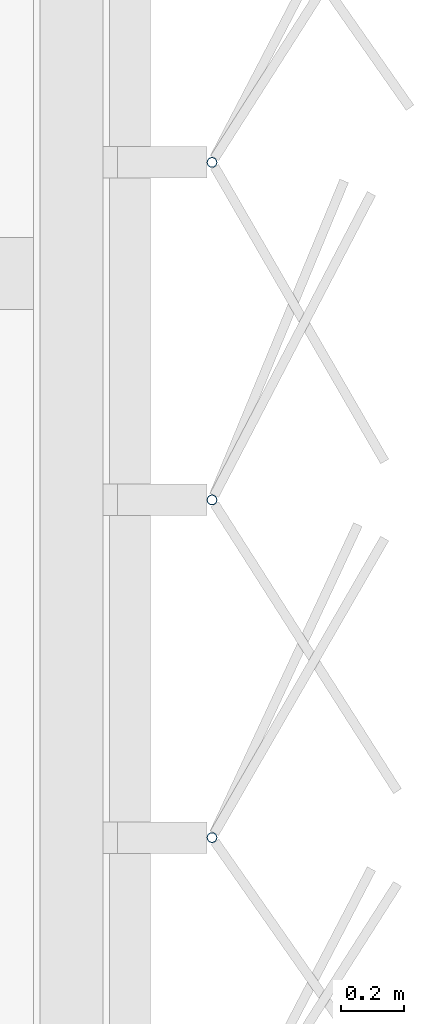
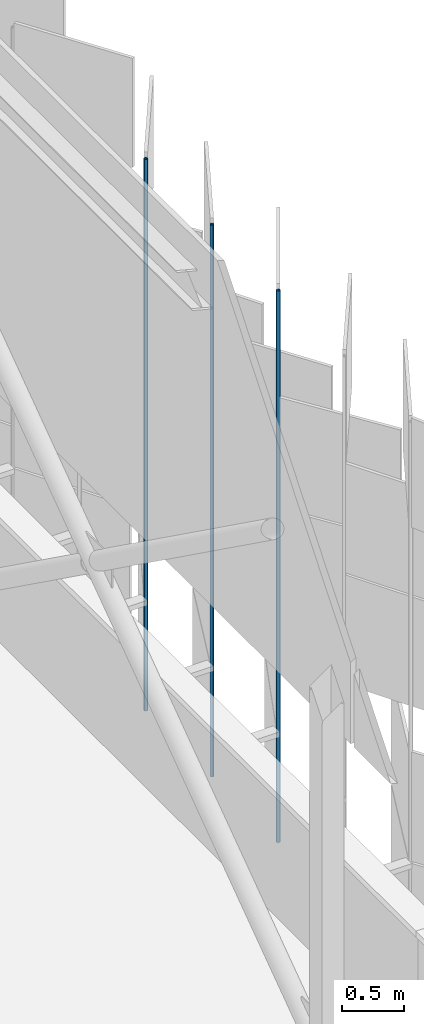
# One storey, part 185 of 483: 3 discrete accessories.
"""IFC4 building model written with IfcOpenShell, lengths in metres."""

from ifc_helpers import new_model, si_unit, direction, frame, origin, origin_2d, place, context, subcontext, project, spatial, hollow_circle, extrude, material, material_profile, profile_set, type_object, element, save


model = new_model("IFC4")

# Units and contexts
model_context = context("Model", 3, precision=1e-05, world=origin(), true_north=direction((0.0, 1.0)))
body_context = subcontext(model_context, "Body", "Model", "MODEL_VIEW")
ifc_project = project(units=[si_unit("LENGTHUNIT", "METRE"), si_unit("AREAUNIT", "SQUARE_METRE"), si_unit("VOLUMEUNIT", "CUBIC_METRE"), si_unit("PLANEANGLEUNIT", "RADIAN"), si_unit("MASSUNIT", "GRAM", prefix="KILO")], contexts=[model_context])

# Site, building, storey
site_placement = place(None, origin())
site = spatial("IfcSite", under=ifc_project, at=site_placement, CompositionType="ELEMENT")
building_placement = place(site_placement, origin())
building = spatial("IfcBuilding", under=site, at=building_placement, Name="Parallax Yard Mobility Hub", CompositionType="ELEMENT")
storey_placement = place(building_placement, frame((0.0, 0.0, 13.199951171875)))
storey = spatial("IfcBuildingStorey", under=building, at=storey_placement, Name="L04", CompositionType="ELEMENT", Elevation=13.199951171875)

# Discrete accessories
ifc_material = material(Name="Steel ASTM A500 Gr C, hot-dip galvanised", Category="steel")
ifc_material_profile = material_profile(ifc_material, hollow_circle(Radius=0.016845703125, WallThickness=0.003173828125, at=origin_2d()), Name="CHS 33.7x3.2")
ifc_profile_set = profile_set([ifc_material_profile], Name="Steel ASTM A500 Gr C, hot-dip galvanised")
discrete_accessory_type = type_object("IfcDiscreteAccessoryType", Name="Hinge post CHS 33.7x3.2", PredefinedType="BRACKET", material=ifc_profile_set)
for number, where, z_axis, x_axis, name in (
    (1, (225.300048828125, 63.209228515625, 0.0), (0.0, 0.0, 1.0), (1.0, 0.0, 0.0), "Hinge post bay 37.4 level L04"),
    (2, (225.300048828125, 64.281005859375, 0.0), (0.0, 0.0, 1.0), (1.0, 0.0, 0.0), "Hinge post bay 37.5 level L04"),
    (3, (225.300048828125, 65.3525390625, 0.0), (0.0, 0.0, 1.0), (1.0, 0.0, 0.0), "Hinge post bay 37.6 level L04"),
):
    element("IfcDiscreteAccessory", number, at=place(storey_placement, frame(where, z_axis=z_axis, x_axis=x_axis)), inside=storey, type_object=discrete_accessory_type, Name=name, PredefinedType="BRACKET", context=body_context, shape_type="SweptSolid", body=[
        extrude(hollow_circle(Radius=0.016845703125, WallThickness=0.003173828125, at=origin_2d()), origin(), (0.0, 0.0, 1.0), 5.449951171875),
    ])

save(model, "model.ifc")
